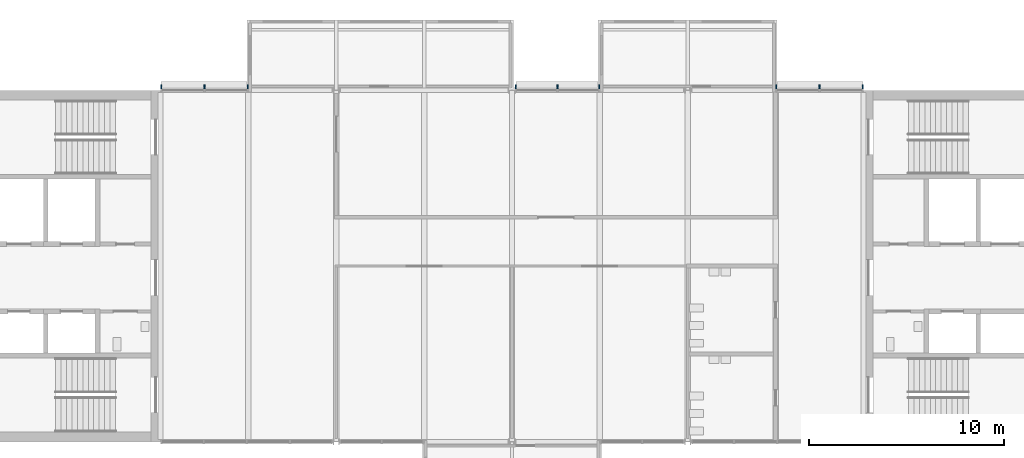
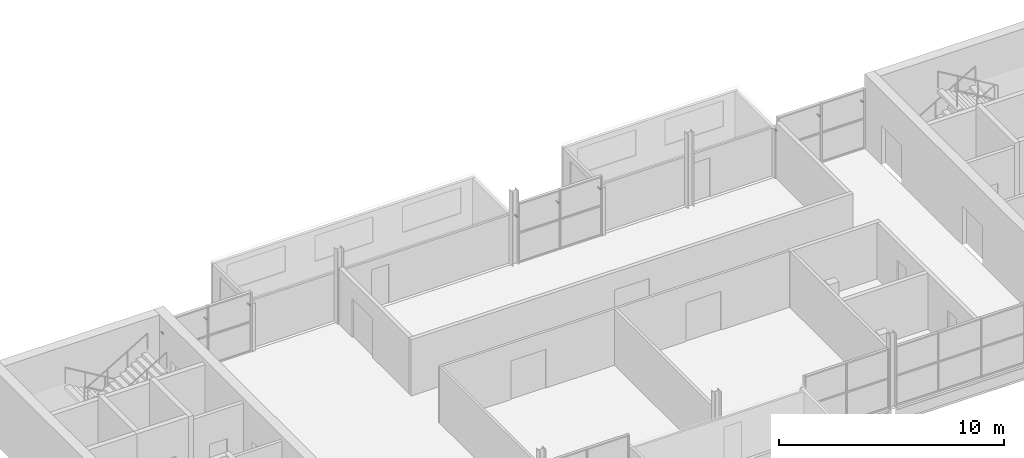
# One storey, part 8 of 10: 9 discrete accessories.
"""IFC4 building model written with IfcOpenShell, lengths in metres."""

from ifc_helpers import new_model, si_unit, direction, frame, origin, origin_2d, place, context, subcontext, project, spatial, rectangle, extrude, material, type_object, element, save


model = new_model("IFC4")

# Units and contexts
model_context = context("Model", 3, precision=1e-05, world=origin(), true_north=direction((0.0, 1.0)))
body_context = subcontext(model_context, "Body", "Model", "MODEL_VIEW")
ifc_project = project(units=[si_unit("LENGTHUNIT", "METRE"), si_unit("AREAUNIT", "SQUARE_METRE"), si_unit("VOLUMEUNIT", "CUBIC_METRE"), si_unit("PLANEANGLEUNIT", "RADIAN"), si_unit("MASSUNIT", "GRAM", prefix="KILO")], contexts=[model_context])

# Site, building, storey
site_placement = place(None, origin())
site = spatial("IfcSite", under=ifc_project, at=site_placement, CompositionType="ELEMENT")
building_placement = place(site_placement, origin())
building = spatial("IfcBuilding", under=site, at=building_placement, Name="Corbel Yard City Hall", CompositionType="ELEMENT")
storey_placement = place(building_placement, frame((0.0, 0.0, 51.199951171875)))
storey = spatial("IfcBuildingStorey", under=building, at=storey_placement, Name="L12", CompositionType="ELEMENT", Elevation=51.199951171875)

# Discrete accessories
ifc_material = material(Name="Steel Grade 300 (300 MPa yield)", Category="steel")
discrete_accessory_type = type_object("IfcDiscreteAccessoryType", Name="BK1", PredefinedType="BRACKET", material=ifc_material)
for number, where, z_axis, x_axis, name in (
    (1, (9.032470703125, 117.18994140625, 2.3984375), (0.0, 0.0, 1.0), (1.0, 0.0, 0.0), "Louvre bracket"),
    (2, (11.25, 117.18994140625, 2.3984375), (0.0, 0.0, 1.0), (1.0, 0.0, 0.0), "Louvre bracket"),
    (3, (13.467529296875, 117.18994140625, 2.3984375), (0.0, 0.0, 1.0), (1.0, 0.0, 0.0), "Louvre bracket"),
    (4, (27.196044921875, 117.18994140625, 2.3984375), (0.0, 0.0, 1.0), (1.0, 0.0, 0.0), "Louvre bracket"),
    (5, (29.331787109375, 117.18994140625, 2.3984375), (0.0, 0.0, 1.0), (1.0, 0.0, 0.0), "Louvre bracket"),
    (6, (31.467529296875, 117.18994140625, 2.3984375), (0.0, 0.0, 1.0), (1.0, 0.0, 0.0), "Louvre bracket"),
    (7, (40.532470703125, 117.18994140625, 2.3984375), (0.0, 0.0, 1.0), (1.0, 0.0, 0.0), "Louvre bracket"),
    (8, (42.75, 117.18994140625, 2.3984375), (0.0, 0.0, 1.0), (1.0, 0.0, 0.0), "Louvre bracket"),
    (9, (44.967529296875, 117.18994140625, 2.3984375), (0.0, 0.0, 1.0), (1.0, 0.0, 0.0), "Louvre bracket"),
):
    element("IfcDiscreteAccessory", number, at=place(storey_placement, frame(where, z_axis=z_axis, x_axis=x_axis)), inside=storey, type_object=discrete_accessory_type, Name=name, PredefinedType="BRACKET", context=body_context, shape_type="SweptSolid", body=[
        extrude(rectangle(XDim=0.06005859375, YDim=0.199951171875, at=origin_2d()), origin(), (0.0, 0.0, 1.0), 0.06005859375),
    ])

save(model, "model.ifc")
